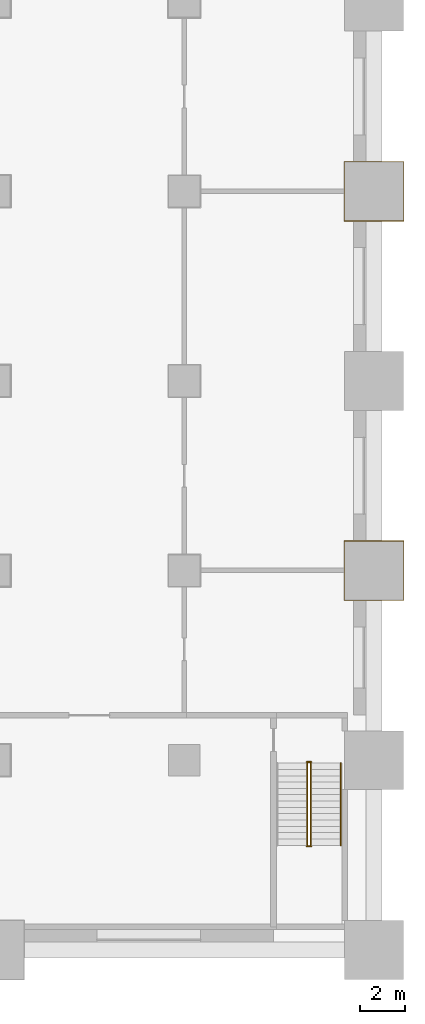
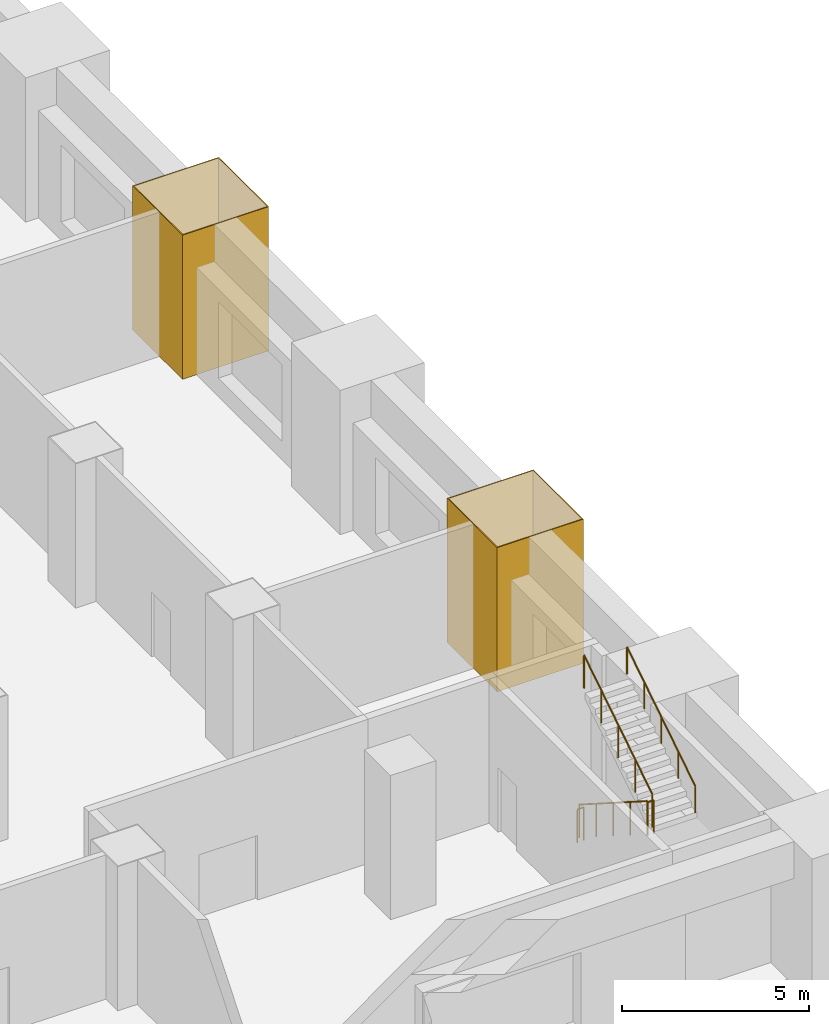
# One storey, part 16 of 18: 5 railings, 2 coverings.
"""IFC4 building model written with IfcOpenShell, lengths in metres."""

from ifc_helpers import new_model, si_unit, direction, frame, origin, origin_2d, place, context, subcontext, project, spatial, polyline, circle, outline, extrude, material, layer, layer_set, type_object, element, save


model = new_model("IFC4")

# Units and contexts
model_context = context("Model", 3, precision=1e-05, world=origin(), true_north=direction((0.0, 1.0)))
body_context = subcontext(model_context, "Body", "Model", "MODEL_VIEW")
ifc_project = project(units=[si_unit("LENGTHUNIT", "METRE"), si_unit("AREAUNIT", "SQUARE_METRE"), si_unit("VOLUMEUNIT", "CUBIC_METRE"), si_unit("PLANEANGLEUNIT", "RADIAN"), si_unit("MASSUNIT", "GRAM", prefix="KILO")], contexts=[model_context])

# Site, building, storey
site_placement = place(None, origin())
site = spatial("IfcSite", under=ifc_project, at=site_placement, CompositionType="ELEMENT")
building_placement = place(site_placement, origin())
building = spatial("IfcBuilding", under=site, at=building_placement, Name="Cantera Rosa Tower", CompositionType="ELEMENT")
storey_placement = place(building_placement, frame((0.0, 0.0, 17.0)))
storey = spatial("IfcBuildingStorey", under=building, at=storey_placement, Name="L02", CompositionType="ELEMENT", Elevation=17.0)

# Coverings
ifc_material_1 = material(Name="Plaster")
ifc_layer = layer(ifc_material_1, 0.030029296875)
ifc_layer_set = layer_set([ifc_layer], Name="Column casing 30")
covering_type = type_object("IfcCoveringType", Name="Column casing 30", PredefinedType="CLADDING", material=ifc_layer_set)
covering_1_placement = place(storey_placement, origin())
element("IfcCovering", 1, at=covering_1_placement, inside=storey, type_object=covering_type, Name="Column casing L02-036", PredefinedType="CLADDING", context=body_context, shape_type="SweptSolid", body=[
    extrude(outline(polyline([(32.27001953125, -13.929931640625), (34.929931640625, -13.929931640625), (34.929931640625, -11.27001953125), (32.27001953125, -11.27001953125), (32.27001953125, -13.929931640625)]), holes=[polyline([(34.89990234375, -11.300048828125), (32.300048828125, -11.300048828125), (32.300048828125, -13.89990234375), (34.89990234375, -13.89990234375), (34.89990234375, -11.300048828125)])]), origin(), (0.0, 0.0, 1.0), 4.699951171875),
])
covering_2_placement = place(storey_placement, origin())
element("IfcCovering", 2, at=covering_2_placement, inside=storey, type_object=covering_type, Name="Column casing L02-037", PredefinedType="CLADDING", context=body_context, shape_type="SweptSolid", body=[
    extrude(outline(polyline([(32.27001953125, 2.8701171875), (34.929931640625, 2.8701171875), (34.929931640625, 5.530029296875), (32.27001953125, 5.530029296875), (32.27001953125, 2.8701171875)]), holes=[polyline([(34.89990234375, 5.5), (32.300048828125, 5.5), (32.300048828125, 2.89990234375), (34.89990234375, 2.89990234375), (34.89990234375, 5.5)])]), origin(), (0.0, 0.0, 1.0), 4.699951171875),
])

# Railings
ifc_material_2 = material(Name="Steel S355J2 (EN 10025-2)", Category="steel")
railing_type_1 = type_object("IfcRailingType", Name="STAIR GUARD 1100", PredefinedType="GUARDRAIL", material=ifc_material_2)
railing_1_placement = place(storey_placement, frame((30.65087890625, -21.125, 0.178466796875)))
element("IfcRailing", 3, at=railing_1_placement, inside=storey, type_object=railing_type_1, Name="L02 ST-SE stair guard 1", PredefinedType="GUARDRAIL", context=body_context, shape_type="SweptSolid", body=[
    extrude(circle(Radius=0.02392578125, at=origin_2d()), frame((0.0, 0.0, 1.076171875), z_axis=(0.0, -0.843111507901, 0.53773877045), x_axis=(1.0, 0.0, 0.0)), (0.0, 0.0, 1.0), 4.317138671875),
    extrude(circle(Radius=0.02099609375, at=origin_2d()), origin(), (0.0, 0.0, 1.0), 1.052001953125),
    extrude(circle(Radius=0.02099609375, at=origin_2d()), frame((0.0, -0.909912109375, 0.580322265625)), (0.0, 0.0, 1.0), 1.052001953125),
    extrude(circle(Radius=0.02099609375, at=origin_2d()), frame((0.0, -1.81982421875, 1.16064453125)), (0.0, 0.0, 1.0), 1.052001953125),
    extrude(circle(Radius=0.02099609375, at=origin_2d()), frame((0.0, -2.72998046875, 1.7412109375)), (0.0, 0.0, 1.0), 1.052001953125),
    extrude(circle(Radius=0.02099609375, at=origin_2d()), frame((0.0, -3.639892578125, 2.321533203125)), (0.0, 0.0, 1.0), 1.052001953125),
])
railing_2_placement = place(storey_placement, frame((30.625, -24.81494140625, 2.5)))
element("IfcRailing", 4, at=railing_2_placement, inside=storey, type_object=railing_type_1, Name="L02 ST-SE stair guard 2", PredefinedType="GUARDRAIL", context=body_context, shape_type="SweptSolid", body=[
    extrude(circle(Radius=0.02392578125, at=origin_2d()), frame((0.0, 0.0, 1.076171875), z_axis=(1.0, 0.0, 0.0), x_axis=(0.0, 1.0, 0.0)), (0.0, 0.0, 1.0), 0.199951171875),
    extrude(circle(Radius=0.02099609375, at=origin_2d()), origin(), (0.0, 0.0, 1.0), 1.052001953125),
    extrude(circle(Radius=0.02099609375, at=origin_2d()), frame((0.199951171875, 0.0, 0.0)), (0.0, 0.0, 1.0), 1.052001953125),
])
railing_3_placement = place(storey_placement, frame((30.799072265625, -24.764892578125, 2.678466796875)))
element("IfcRailing", 5, at=railing_3_placement, inside=storey, type_object=railing_type_1, Name="L02 ST-SE stair guard 3", PredefinedType="GUARDRAIL", context=body_context, shape_type="SweptSolid", body=[
    extrude(circle(Radius=0.02392578125, at=origin_2d()), frame((0.0, 0.0, 1.076171875), z_axis=(0.0, 0.843111507901, 0.53773877045), x_axis=(-1.0, 0.0, 0.0)), (0.0, 0.0, 1.0), 4.317138671875),
    extrude(circle(Radius=0.02099609375, at=origin_2d()), origin(), (0.0, 0.0, 1.0), 1.052001953125),
    extrude(circle(Radius=0.02099609375, at=origin_2d()), frame((0.0, 0.909912109375, 0.580322265625)), (0.0, 0.0, 1.0), 1.052001953125),
    extrude(circle(Radius=0.02099609375, at=origin_2d()), frame((0.0, 1.81982421875, 1.16064453125)), (0.0, 0.0, 1.0), 1.052001953125),
    extrude(circle(Radius=0.02099609375, at=origin_2d()), frame((0.0, 2.72998046875, 1.7412109375)), (0.0, 0.0, 1.0), 1.052001953125),
    extrude(circle(Radius=0.02099609375, at=origin_2d()), frame((0.0, 3.639892578125, 2.321533203125)), (0.0, 0.0, 1.0), 1.052001953125),
])
railing_4_placement = place(storey_placement, frame((30.625, -21.074951171875, 0.0)))
element("IfcRailing", 6, at=railing_4_placement, inside=storey, type_object=railing_type_1, Name="L02 ST-SE stair guard 4", PredefinedType="GUARDRAIL", context=body_context, shape_type="SweptSolid", body=[
    extrude(circle(Radius=0.02392578125, at=origin_2d()), frame((0.0, 0.0, 1.076171875), z_axis=(1.0, 0.0, 0.0), x_axis=(0.0, 1.0, 0.0)), (0.0, 0.0, 1.0), 0.199951171875),
    extrude(circle(Radius=0.02099609375, at=origin_2d()), origin(), (0.0, 0.0, 1.0), 1.052001953125),
    extrude(circle(Radius=0.02099609375, at=origin_2d()), frame((0.199951171875, 0.0, 0.0)), (0.0, 0.0, 1.0), 1.052001953125),
])
ifc_material_3 = material(Name="Steel S355J2 (EN 10025-2)", Category="steel")
railing_type_2 = type_object("IfcRailingType", Name="STAIR HANDRAIL 900", PredefinedType="HANDRAIL", material=ifc_material_3)
railing_5_placement = place(storey_placement, frame((32.125, -24.764892578125, 2.678466796875)))
element("IfcRailing", 7, at=railing_5_placement, inside=storey, type_object=railing_type_2, Name="L02 ST-SE stair handrail 2", PredefinedType="HANDRAIL", context=body_context, shape_type="SweptSolid", body=[
    extrude(circle(Radius=0.02392578125, at=origin_2d()), frame((0.0, 0.0, 0.8759765625), z_axis=(0.0, 0.843111507901, 0.53773877045), x_axis=(-1.0, 0.0, 0.0)), (0.0, 0.0, 1.0), 4.317138671875),
    extrude(circle(Radius=0.02099609375, at=origin_2d()), origin(), (0.0, 0.0, 1.0), 0.851806640625),
    extrude(circle(Radius=0.02099609375, at=origin_2d()), frame((0.0, 0.909912109375, 0.580322265625)), (0.0, 0.0, 1.0), 0.851806640625),
    extrude(circle(Radius=0.02099609375, at=origin_2d()), frame((0.0, 1.81982421875, 1.16064453125)), (0.0, 0.0, 1.0), 0.851806640625),
    extrude(circle(Radius=0.02099609375, at=origin_2d()), frame((0.0, 2.72998046875, 1.7412109375)), (0.0, 0.0, 1.0), 0.851806640625),
    extrude(circle(Radius=0.02099609375, at=origin_2d()), frame((0.0, 3.639892578125, 2.321533203125)), (0.0, 0.0, 1.0), 0.851806640625),
])

save(model, "model.ifc")
